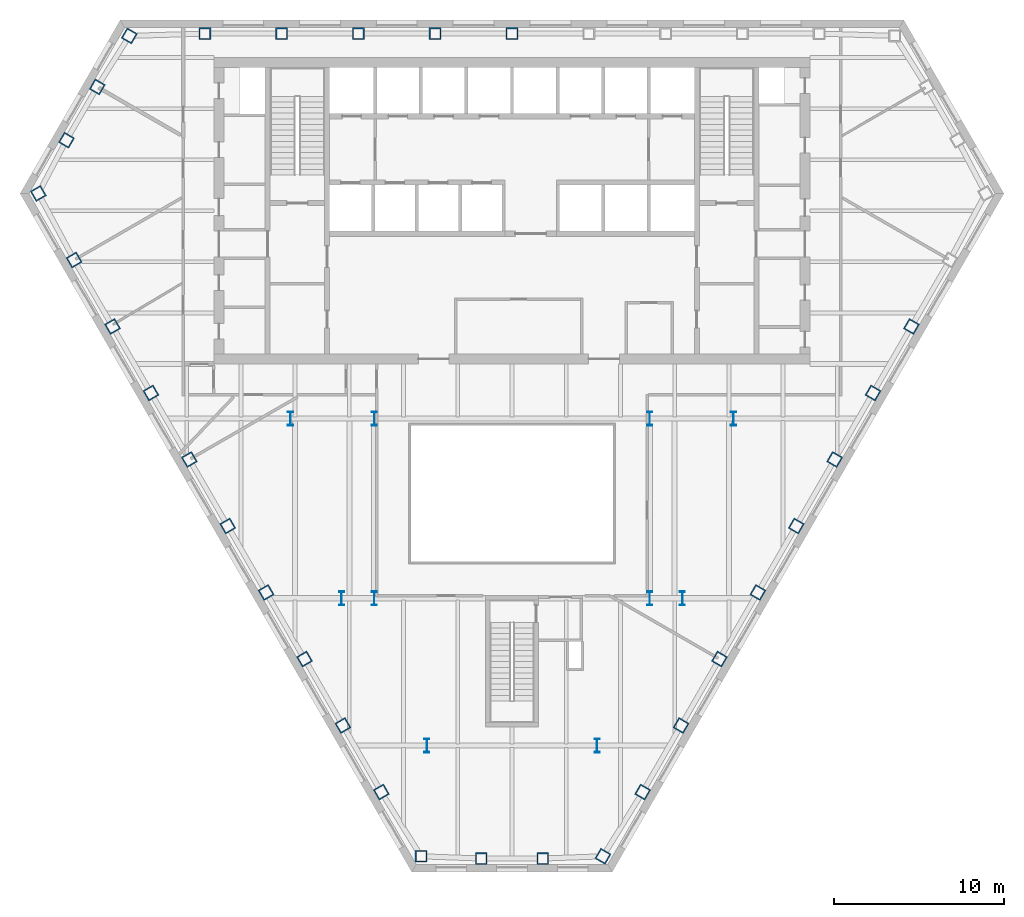
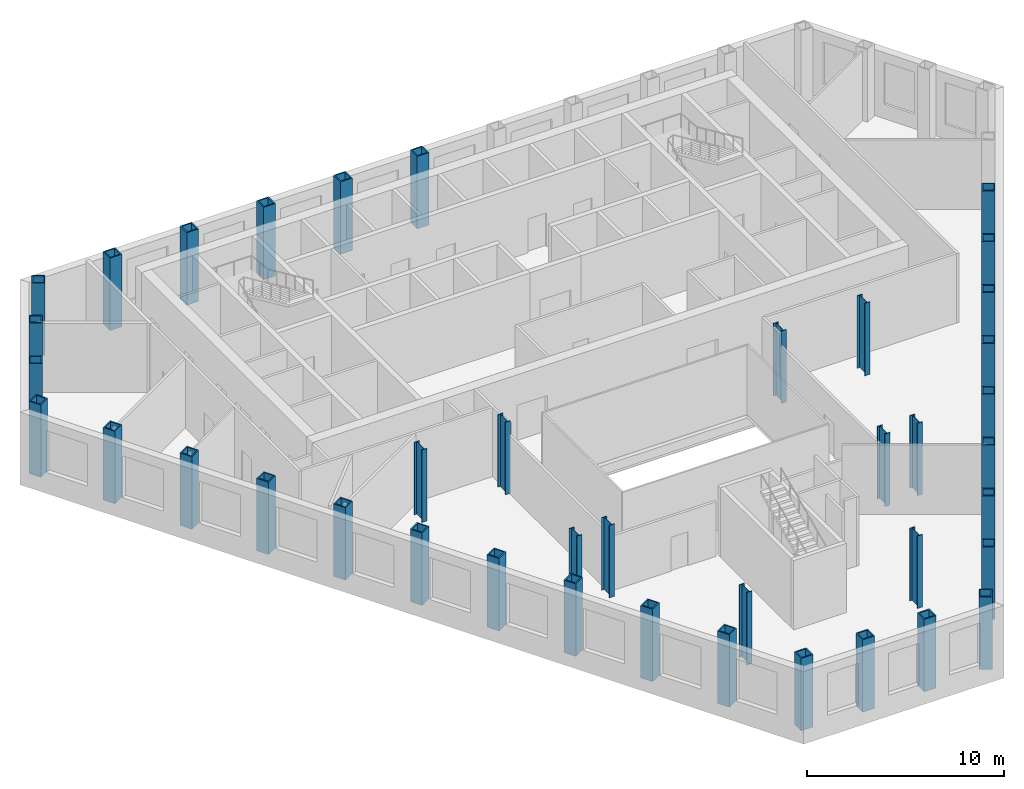
# One storey, part 1 of 11: 40 columns.
"""IFC4 building model written with IfcOpenShell, lengths in metres."""

from ifc_helpers import new_model, si_unit, direction, frame, origin, origin_2d, place, context, subcontext, project, spatial, hollow_rectangle, i_section, extrude, material, material_profile, profile_set, type_object, element, save


model = new_model("IFC4")

# Units and contexts
model_context = context("Model", 3, precision=1e-05, world=origin(), true_north=direction((0.0, 1.0)))
body_context = subcontext(model_context, "Body", "Model", "MODEL_VIEW")
ifc_project = project(units=[si_unit("LENGTHUNIT", "METRE"), si_unit("AREAUNIT", "SQUARE_METRE"), si_unit("VOLUMEUNIT", "CUBIC_METRE"), si_unit("PLANEANGLEUNIT", "RADIAN"), si_unit("MASSUNIT", "GRAM", prefix="KILO")], contexts=[model_context])

# Site, building, storey
site_placement = place(None, origin())
site = spatial("IfcSite", under=ifc_project, at=site_placement, CompositionType="ELEMENT")
building_placement = place(site_placement, origin())
building = spatial("IfcBuilding", under=site, at=building_placement, Name="Njiva Tower", CompositionType="ELEMENT")
storey_placement = place(building_placement, frame((0.0, 0.0, 37.8)))
storey = spatial("IfcBuildingStorey", under=building, at=storey_placement, Name="L07", CompositionType="ELEMENT", Elevation=37.8)

# Columns
ifc_material = material(Name="Steel S355 J2", Category="steel")
ifc_material_profile_1 = material_profile(ifc_material, hollow_rectangle(XDim=0.7, YDim=0.7, WallThickness=0.07, at=origin_2d()), Name="BOX 700x700x70")
ifc_profile_set_1 = profile_set([ifc_material_profile_1], Name="Steel S355 J2")
column_type_1 = type_object("IfcColumnType", Name="C5 Perimeter tube column BOX 700x700x70", PredefinedType="COLUMN", material=ifc_profile_set_1)
for number, where, z_axis, x_axis, name in (
    (1, (0.0, 19.4, 0.0), (0.0, 0.0, 1.0), (-1.0, 0.0, 0.0), "Perimeter tube column S02-C06"),
    (2, (-4.509, 19.4, 0.0), (0.0, 0.0, 1.0), (-1.0, 0.0, 0.0), "Perimeter tube column S02-C07"),
    (3, (-9.017, 19.4, 0.0), (0.0, 0.0, 1.0), (-1.0, 0.0, 0.0), "Perimeter tube column S02-C08"),
    (4, (-13.526, 19.4, 0.0), (0.0, 0.0, 1.0), (-1.0, 0.0, 0.0), "Perimeter tube column S02-C09"),
    (5, (-18.034, 19.4, 0.0), (0.0, 0.0, 1.0), (-1.0, 0.0, 0.0), "Perimeter tube column S02-C10"),
    (6, (-22.466, 19.267, 0.0), (0.0, 0.0, 1.0), (-0.5, -0.866025403784, 0.0), "Perimeter tube column S02-C11"),
    (7, (-24.349, 16.272, 0.0), (0.0, 0.0, 1.0), (-0.5, -0.866025403784, 0.0), "Perimeter tube column S02-C12"),
    (8, (-26.155, 13.144, 0.0), (0.0, 0.0, 1.0), (-0.5, -0.866025403784, 0.0), "Perimeter tube column S02-C13"),
    (9, (-27.808, 10.016, 0.0), (0.0, 0.0, 1.0), (0.5, -0.866025403784, 0.0), "Perimeter tube column S02-C14"),
    (10, (-25.707, 6.111, 0.0), (0.0, 0.0, 1.0), (0.5, -0.866025403784, 0.0), "Perimeter tube column S02-C15"),
    (11, (-23.453, 2.206, 0.0), (0.0, 0.0, 1.0), (0.5, -0.866025403784, 0.0), "Perimeter tube column S02-C16"),
    (12, (-21.198, -1.698, 0.0), (0.0, 0.0, 1.0), (0.5, -0.866025403784, 0.0), "Perimeter tube column S02-C17"),
    (13, (-18.944, -5.603, 0.0), (0.0, 0.0, 1.0), (0.5, -0.866025403784, 0.0), "Perimeter tube column S02-C18"),
    (14, (-16.69, -9.507, 0.0), (0.0, 0.0, 1.0), (0.5, -0.866025403784, 0.0), "Perimeter tube column S02-C19"),
    (15, (-14.435, -13.412, 0.0), (0.0, 0.0, 1.0), (0.5, -0.866025403784, 0.0), "Perimeter tube column S02-C20"),
    (16, (-12.181, -17.317, 0.0), (0.0, 0.0, 1.0), (0.5, -0.866025403784, 0.0), "Perimeter tube column S02-C21"),
    (17, (-9.927, -21.221, 0.0), (0.0, 0.0, 1.0), (0.5, -0.866025403784, 0.0), "Perimeter tube column S02-C22"),
    (18, (-7.672, -25.126, 0.0), (0.0, 0.0, 1.0), (0.5, -0.866025403784, 0.0), "Perimeter tube column S02-C23"),
    (19, (-5.341, -28.897, 0.0), (0.0, 0.0, 1.0), (1.0, 0.0, 0.0), "Perimeter tube column S02-C24"),
    (20, (-1.806, -29.03, 0.0), (0.0, 0.0, 1.0), (1.0, 0.0, 0.0), "Perimeter tube column S02-C25"),
    (21, (1.806, -29.03, 0.0), (0.0, 0.0, 1.0), (1.0, 0.0, 0.0), "Perimeter tube column S02-C26"),
    (22, (5.341, -28.897, 0.0), (0.0, 0.0, 1.0), (0.5, 0.866025403784, 0.0), "Perimeter tube column S02-C27"),
    (23, (7.672, -25.126, 0.0), (0.0, 0.0, 1.0), (0.5, 0.866025403784, 0.0), "Perimeter tube column S02-C28"),
    (24, (9.927, -21.221, 0.0), (0.0, 0.0, 1.0), (0.5, 0.866025403784, 0.0), "Perimeter tube column S02-C29"),
    (25, (12.181, -17.317, 0.0), (0.0, 0.0, 1.0), (0.5, 0.866025403784, 0.0), "Perimeter tube column S02-C30"),
    (26, (14.435, -13.412, 0.0), (0.0, 0.0, 1.0), (0.5, 0.866025403784, 0.0), "Perimeter tube column S02-C31"),
    (27, (16.69, -9.507, 0.0), (0.0, 0.0, 1.0), (0.5, 0.866025403784, 0.0), "Perimeter tube column S02-C32"),
    (28, (18.944, -5.603, 0.0), (0.0, 0.0, 1.0), (0.5, 0.866025403784, 0.0), "Perimeter tube column S02-C33"),
    (29, (21.198, -1.698, 0.0), (0.0, 0.0, 1.0), (0.5, 0.866025403784, 0.0), "Perimeter tube column S02-C34"),
    (30, (23.453, 2.206, 0.0), (0.0, 0.0, 1.0), (0.5, 0.866025403784, 0.0), "Perimeter tube column S02-C35"),
):
    element("IfcColumn", number, at=place(storey_placement, frame(where, z_axis=z_axis, x_axis=x_axis)), inside=storey, type_object=column_type_1, Name=name, PredefinedType="COLUMN", context=body_context, shape_type="SweptSolid", body=[
        extrude(hollow_rectangle(XDim=0.7, YDim=0.7, WallThickness=0.07, at=origin_2d()), origin(), (0.0, 0.0, 1.0), 4.5),
    ])
ifc_material_profile_2 = material_profile(ifc_material, i_section(OverallWidth=0.303, OverallDepth=0.814, WebThickness=0.021, FlangeThickness=0.04, at=origin_2d()), Name="HEM 800")
ifc_profile_set_2 = profile_set([ifc_material_profile_2], Name="Steel S355 J2")
column_type_2 = type_object("IfcColumnType", Name="C6 Interior column HEM 800", PredefinedType="COLUMN", material=ifc_profile_set_2)
for number, where, z_axis, x_axis, name in (
    (31, (8.09, -3.2, 0.0), (0.0, 0.0, 1.0), (1.0, 0.0, 0.0), "Interior column S02-C40"),
    (32, (-8.09, -3.2, 0.0), (0.0, 0.0, 1.0), (1.0, 0.0, 0.0), "Interior column S02-C41"),
    (33, (8.09, -13.75, 0.0), (0.0, 0.0, 1.0), (1.0, 0.0, 0.0), "Interior column S02-C42"),
    (34, (-8.09, -13.75, 0.0), (0.0, 0.0, 1.0), (1.0, 0.0, 0.0), "Interior column S02-C43"),
    (35, (5.0, -22.4, 0.0), (0.0, 0.0, 1.0), (1.0, 0.0, 0.0), "Interior column S02-C44"),
    (36, (-5.0, -22.4, 0.0), (0.0, 0.0, 1.0), (1.0, 0.0, 0.0), "Interior column S02-C45"),
    (37, (13.0, -3.2, 0.0), (0.0, 0.0, 1.0), (1.0, 0.0, 0.0), "Interior column S02-C46"),
    (38, (-13.0, -3.2, 0.0), (0.0, 0.0, 1.0), (1.0, 0.0, 0.0), "Interior column S02-C47"),
    (39, (10.0, -13.75, 0.0), (0.0, 0.0, 1.0), (1.0, 0.0, 0.0), "Interior column S02-C48"),
    (40, (-10.0, -13.75, 0.0), (0.0, 0.0, 1.0), (1.0, 0.0, 0.0), "Interior column S02-C49"),
):
    element("IfcColumn", number, at=place(storey_placement, frame(where, z_axis=z_axis, x_axis=x_axis)), inside=storey, type_object=column_type_2, Name=name, PredefinedType="COLUMN", context=body_context, shape_type="SweptSolid", body=[
        extrude(i_section(OverallWidth=0.303, OverallDepth=0.814, WebThickness=0.021, FlangeThickness=0.04, at=origin_2d()), origin(), (0.0, 0.0, 1.0), 4.5),
    ])

save(model, "model.ifc")
